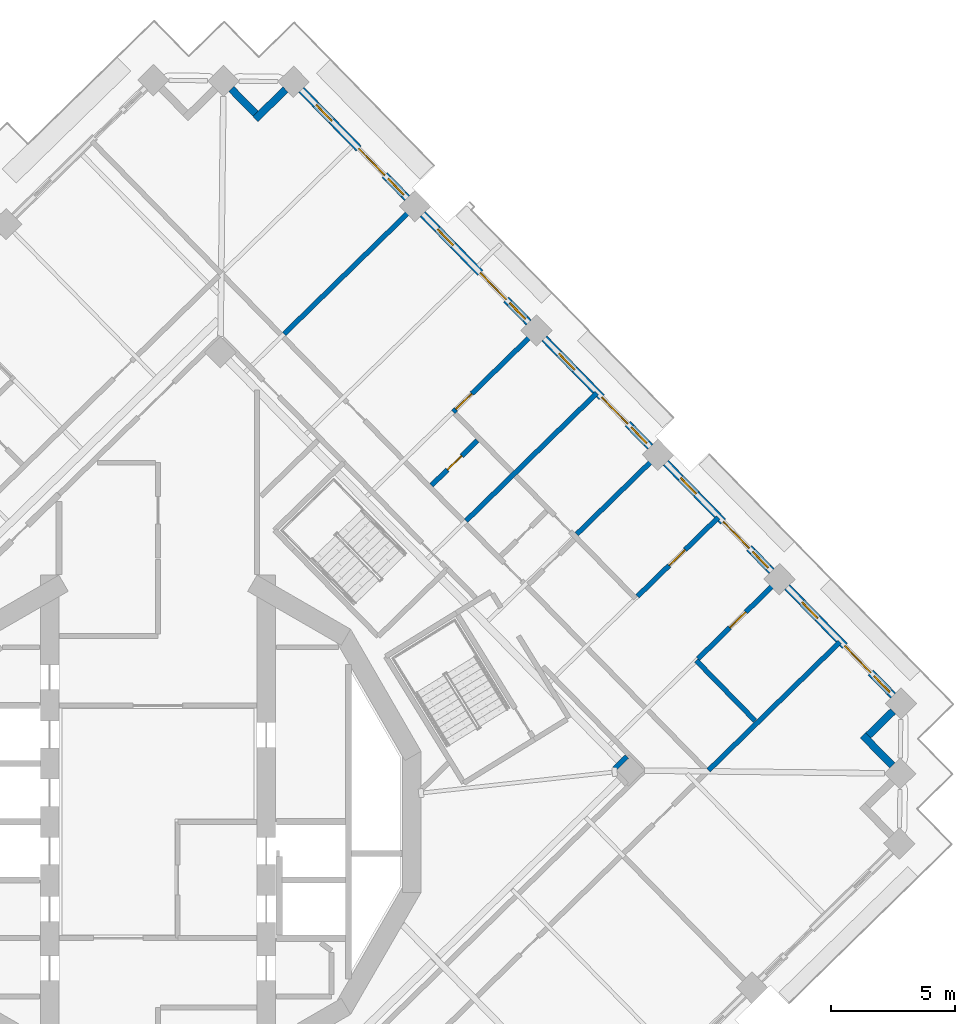
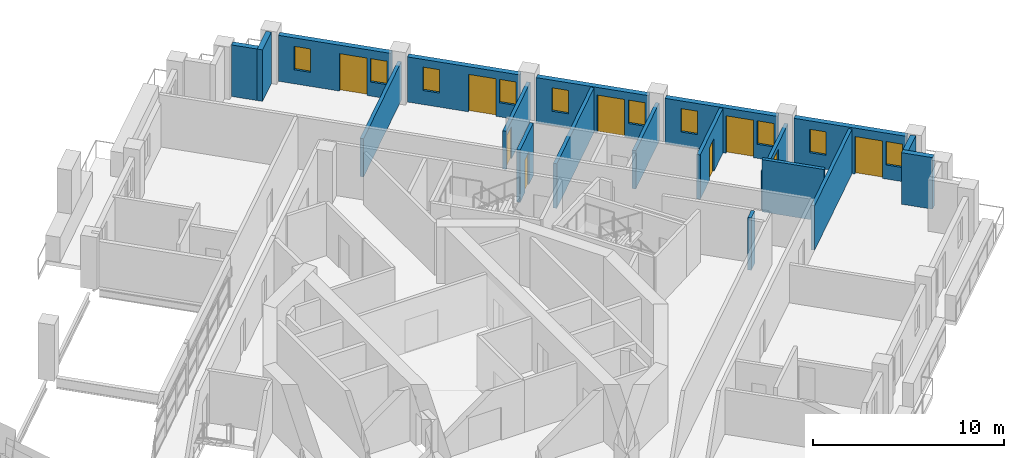
# One storey, part 13 of 21: 19 walls, 10 windows, 9 doors, 19 openings.
"""IFC4 building model written with IfcOpenShell, lengths in metres."""

from ifc_helpers import new_model, si_unit, direction, frame, frame_2d, origin, place, context, subcontext, project, spatial, rectangle, extrude, material, layer, layer_set, type_object, element, fill, save


model = new_model("IFC4")

# Units and contexts
model_context = context("Model", 3, precision=1e-05, world=origin(), true_north=direction((0.0, 1.0)))
body_context = subcontext(model_context, "Body", "Model", "MODEL_VIEW")
ifc_project = project(units=[si_unit("LENGTHUNIT", "METRE"), si_unit("AREAUNIT", "SQUARE_METRE"), si_unit("VOLUMEUNIT", "CUBIC_METRE"), si_unit("PLANEANGLEUNIT", "RADIAN"), si_unit("MASSUNIT", "GRAM", prefix="KILO")], contexts=[model_context])

# Site, building, storey
site_placement = place(None, origin())
site = spatial("IfcSite", under=ifc_project, at=site_placement, CompositionType="ELEMENT")
building_placement = place(site_placement, origin())
building = spatial("IfcBuilding", under=site, at=building_placement, Name="Cantera Rosa Tower", CompositionType="ELEMENT")
storey_placement = place(building_placement, frame((0.0, 0.0, 230.60009765625)))
storey = spatial("IfcBuildingStorey", under=building, at=storey_placement, Name="L50", CompositionType="ELEMENT", Elevation=230.60009765625)

# Walls
ifc_material_1 = material(Name="Hollow clay masonry with cantera stone cladding", Category="masonry")
ifc_layer_1 = layer(ifc_material_1, 0.300048828125)
ifc_layer_set_1 = layer_set([ifc_layer_1], Name="EW-LOGGIA 300")
wall_type_1 = type_object("IfcWallType", Name="EW-LOGGIA 300", PredefinedType="SOLIDWALL", material=ifc_layer_set_1)
wall_1_placement = place(storey_placement, frame((5.15283203125, 29.56982421875, 0.0), z_axis=(0.0, 0.0, 1.0), x_axis=(-0.715316077832, -0.69880105094, 0.0)))
element("IfcWall", 1, at=wall_1_placement, inside=storey, type_object=wall_type_1, Name="EN-L50-W05a", PredefinedType="SOLIDWALL", context=body_context, shape_type="SweptSolid", body=[
    extrude(rectangle(XDim=1.699951171875, YDim=0.300048828125, at=frame_2d((0.85009765625, 0.0))), origin(), (0.0, 0.0, 1.0), 3.2998046875),
])
wall_2_placement = place(storey_placement, frame((3.939208984375, 28.593994140625, 0.0), z_axis=(0.0, 0.0, 1.0), x_axis=(-0.698861982187, 0.715256548278, 0.0)))
element("IfcWall", 2, at=wall_2_placement, inside=storey, type_object=wall_type_1, Name="EN-L50-W05b", PredefinedType="SOLIDWALL", context=body_context, shape_type="SweptSolid", body=[
    extrude(rectangle(XDim=1.39990234375, YDim=0.300048828125, at=frame_2d((0.699951171875, 0.0))), origin(), (0.0, 0.0, 1.0), 3.2998046875),
])
wall_3_placement = place(storey_placement, frame((29.65625, 2.271484375, 0.0), z_axis=(0.0, 0.0, 1.0), x_axis=(-0.698872839675, 0.715245939495, 0.0)))
element("IfcWall", 3, at=wall_3_placement, inside=storey, type_object=wall_type_1, Name="EN-L50-W27a", PredefinedType="SOLIDWALL", context=body_context, shape_type="SweptSolid", body=[
    extrude(rectangle(XDim=1.699951171875, YDim=0.300048828125, at=frame_2d((0.85009765625, 0.0))), origin(), (0.0, 0.0, 1.0), 3.2998046875),
])
wall_4_placement = place(storey_placement, frame((28.680419921875, 3.48486328125, 0.0), z_axis=(0.0, 0.0, 1.0), x_axis=(0.71516937164, 0.698951192766, 0.0)))
element("IfcWall", 4, at=wall_4_placement, inside=storey, type_object=wall_type_1, Name="EN-L50-W27b", PredefinedType="SOLIDWALL", context=body_context, shape_type="SweptSolid", body=[
    extrude(rectangle(XDim=1.39990234375, YDim=0.300048828125, at=frame_2d((0.699951171875, 0.0))), origin(), (0.0, 0.0, 1.0), 3.2998046875),
])

# Wall, openings, windows, door
ifc_material_2 = material(Name="Hollow clay masonry with cantera stone cladding", Category="masonry")
ifc_layer_2 = layer(ifc_material_2, 0.300048828125)
ifc_layer_set_2 = layer_set([ifc_layer_2], Name="EW-LOGGIA 300 H2890")
wall_type_2 = type_object("IfcWallType", Name="EW-LOGGIA 300 H2890", PredefinedType="SOLIDWALL", material=ifc_layer_set_2)
wall_5_placement = place(storey_placement, frame((24.783203125, 10.120849609375, 0.0), z_axis=(0.0, 0.0, 1.0), x_axis=(-0.698800768177, 0.715316354067, 0.0)))
wall_5 = element("IfcWall", 5, at=wall_5_placement, inside=storey, type_object=wall_type_2, Name="EN-L50-W01", PredefinedType="SOLIDWALL", context=body_context, shape_type="SweptSolid", body=[
    extrude(rectangle(XDim=6.119873046875, YDim=0.300048828125, at=frame_2d((3.06005859375, 0.0))), origin(), (0.0, 0.0, 1.0), 2.889892578125),
])
opening_1_placement = place(wall_5_placement, frame((0.199951171875, 0.0, 0.89990234375)))
opening_1 = element("IfcOpeningElement", 6, at=opening_1_placement, cuts=wall_5, Name="Opening L50-W01", PredefinedType="OPENING", context=body_context, shape_type="SweptSolid", body=[
    extrude(rectangle(XDim=0.89990234375, YDim=1.5, at=frame_2d((0.449951171875, 0.75))), frame((0.0, 0.159912109375, 0.0), z_axis=(0.0, -1.0, 0.0), x_axis=(1.0, 0.0, 0.0)), (0.0, 0.0, 1.0), 0.320068359375),
])
opening_2_placement = place(wall_5_placement, frame((1.300048828125, 0.0, 0.0)))
opening_2 = element("IfcOpeningElement", 7, at=opening_2_placement, cuts=wall_5, Name="Opening L50-TD02", PredefinedType="OPENING", context=body_context, shape_type="SweptSolid", body=[
    extrude(rectangle(XDim=1.5, YDim=2.39990234375, at=frame_2d((0.75, 1.199951171875))), frame((0.0, 0.159912109375, 0.0), z_axis=(0.0, -1.0, 0.0), x_axis=(1.0, 0.0, 0.0)), (0.0, 0.0, 1.0), 0.320068359375),
])
opening_3_placement = place(wall_5_placement, frame((4.364990234375, 0.0, 0.89990234375)))
opening_3 = element("IfcOpeningElement", 8, at=opening_3_placement, cuts=wall_5, Name="Opening L50-W03", PredefinedType="OPENING", context=body_context, shape_type="SweptSolid", body=[
    extrude(rectangle(XDim=0.89990234375, YDim=1.5, at=frame_2d((0.449951171875, 0.75))), frame((0.0, 0.159912109375, 0.0), z_axis=(0.0, -1.0, 0.0), x_axis=(1.0, 0.0, 0.0)), (0.0, 0.0, 1.0), 0.320068359375),
])
ifc_material_3 = material(Name="Aluminium frame with clear glass", Category="aluminium")
window_type = type_object("IfcWindowType", Name="Residential window 900x1500", PartitioningType="SINGLE_PANEL", PredefinedType="WINDOW", material=ifc_material_3)
window_1_placement = place(opening_1_placement, origin())
window_1 = element("IfcWindow", 9, at=window_1_placement, inside=storey, type_object=window_type, Name="WINDOW L50-W01", OverallHeight=1.5, OverallWidth=0.89990234375, PartitioningType="SINGLE_PANEL", PredefinedType="WINDOW", context=body_context, shape_type="SweptSolid", body=[
    extrude(rectangle(XDim=0.89990234375, YDim=1.5, at=frame_2d((0.449951171875, 0.75))), frame((0.0, 0.030029296875, 0.0), z_axis=(0.0, -1.0, 0.0), x_axis=(1.0, 0.0, 0.0)), (0.0, 0.0, 1.0), 0.06005859375),
])
fill(opening_1, window_1)
window_2_placement = place(opening_3_placement, origin())
window_2 = element("IfcWindow", 10, at=window_2_placement, inside=storey, type_object=window_type, Name="WINDOW L50-W03", OverallHeight=1.5, OverallWidth=0.89990234375, PartitioningType="SINGLE_PANEL", PredefinedType="WINDOW", context=body_context, shape_type="SweptSolid", body=[
    extrude(rectangle(XDim=0.89990234375, YDim=1.5, at=frame_2d((0.449951171875, 0.75))), frame((0.0, 0.030029296875, 0.0), z_axis=(0.0, -1.0, 0.0), x_axis=(1.0, 0.0, 0.0)), (0.0, 0.0, 1.0), 0.06005859375),
])
fill(opening_3, window_2)
ifc_material_4 = material(Name="Aluminium frame with clear glass", Category="aluminium")
door_type_1 = type_object("IfcDoorType", Name="TD-R 1500x2400", OperationType="NOTDEFINED", PredefinedType="DOOR", material=ifc_material_4)
door_1_placement = place(opening_2_placement, origin())
door_1 = element("IfcDoor", 11, at=door_1_placement, inside=storey, type_object=door_type_1, Name="LOGGIA DOOR L50-TD02", OperationType="SLIDING_TO_LEFT", OverallHeight=2.39990234375, OverallWidth=1.5, PredefinedType="DOOR", context=body_context, shape_type="SweptSolid", body=[
    extrude(rectangle(XDim=1.5, YDim=2.39990234375, at=frame_2d((0.75, 1.199951171875))), frame((0.0, 0.02490234375, 0.0), z_axis=(0.0, -1.0, 0.0), x_axis=(1.0, 0.0, 0.0)), (0.0, 0.0, 1.0), 0.050048828125),
])
fill(opening_2, door_1)

wall_6_placement = place(storey_placement, frame((19.87744140625, 15.142333984375, 0.0), z_axis=(0.0, 0.0, 1.0), x_axis=(-0.698841120217, 0.71527693147, 0.0)))
wall_6 = element("IfcWall", 12, at=wall_6_placement, inside=storey, type_object=wall_type_2, Name="EN-L50-W02", PredefinedType="SOLIDWALL", context=body_context, shape_type="SweptSolid", body=[
    extrude(rectangle(XDim=6.119873046875, YDim=0.300048828125, at=frame_2d((3.06005859375, 0.0))), origin(), (0.0, 0.0, 1.0), 2.889892578125),
])
opening_4_placement = place(wall_6_placement, frame((0.199951171875, 0.0, 0.89990234375)))
opening_4 = element("IfcOpeningElement", 13, at=opening_4_placement, cuts=wall_6, Name="Opening L50-W04", PredefinedType="OPENING", context=body_context, shape_type="SweptSolid", body=[
    extrude(rectangle(XDim=0.89990234375, YDim=1.5, at=frame_2d((0.449951171875, 0.75))), frame((0.0, 0.159912109375, 0.0), z_axis=(0.0, -1.0, 0.0), x_axis=(1.0, 0.0, 0.0)), (0.0, 0.0, 1.0), 0.320068359375),
])
opening_5_placement = place(wall_6_placement, frame((1.300048828125, 0.0, 0.0)))
opening_5 = element("IfcOpeningElement", 14, at=opening_5_placement, cuts=wall_6, Name="Opening L50-TD05", PredefinedType="OPENING", context=body_context, shape_type="SweptSolid", body=[
    extrude(rectangle(XDim=1.5, YDim=2.39990234375, at=frame_2d((0.75, 1.199951171875))), frame((0.0, 0.159912109375, 0.0), z_axis=(0.0, -1.0, 0.0), x_axis=(1.0, 0.0, 0.0)), (0.0, 0.0, 1.0), 0.320068359375),
])
opening_6_placement = place(wall_6_placement, frame((4.364990234375, 0.0, 0.89990234375)))
opening_6 = element("IfcOpeningElement", 15, at=opening_6_placement, cuts=wall_6, Name="Opening L50-W06", PredefinedType="OPENING", context=body_context, shape_type="SweptSolid", body=[
    extrude(rectangle(XDim=0.89990234375, YDim=1.5, at=frame_2d((0.449951171875, 0.75))), frame((0.0, 0.159912109375, 0.0), z_axis=(0.0, -1.0, 0.0), x_axis=(1.0, 0.0, 0.0)), (0.0, 0.0, 1.0), 0.320068359375),
])
window_3_placement = place(opening_4_placement, origin())
window_3 = element("IfcWindow", 16, at=window_3_placement, inside=storey, type_object=window_type, Name="WINDOW L50-W04", OverallHeight=1.5, OverallWidth=0.89990234375, PartitioningType="SINGLE_PANEL", PredefinedType="WINDOW", context=body_context, shape_type="SweptSolid", body=[
    extrude(rectangle(XDim=0.89990234375, YDim=1.5, at=frame_2d((0.449951171875, 0.75))), frame((0.0, 0.030029296875, 0.0), z_axis=(0.0, -1.0, 0.0), x_axis=(1.0, 0.0, 0.0)), (0.0, 0.0, 1.0), 0.06005859375),
])
fill(opening_4, window_3)
window_4_placement = place(opening_6_placement, origin())
window_4 = element("IfcWindow", 17, at=window_4_placement, inside=storey, type_object=window_type, Name="WINDOW L50-W06", OverallHeight=1.5, OverallWidth=0.89990234375, PartitioningType="SINGLE_PANEL", PredefinedType="WINDOW", context=body_context, shape_type="SweptSolid", body=[
    extrude(rectangle(XDim=0.89990234375, YDim=1.5, at=frame_2d((0.449951171875, 0.75))), frame((0.0, 0.030029296875, 0.0), z_axis=(0.0, -1.0, 0.0), x_axis=(1.0, 0.0, 0.0)), (0.0, 0.0, 1.0), 0.06005859375),
])
fill(opening_6, window_4)
door_2_placement = place(opening_5_placement, origin())
door_2 = element("IfcDoor", 18, at=door_2_placement, inside=storey, type_object=door_type_1, Name="LOGGIA DOOR L50-TD05", OperationType="SLIDING_TO_LEFT", OverallHeight=2.39990234375, OverallWidth=1.5, PredefinedType="DOOR", context=body_context, shape_type="SweptSolid", body=[
    extrude(rectangle(XDim=1.5, YDim=2.39990234375, at=frame_2d((0.75, 1.199951171875))), frame((0.0, 0.02490234375, 0.0), z_axis=(0.0, -1.0, 0.0), x_axis=(1.0, 0.0, 0.0)), (0.0, 0.0, 1.0), 0.050048828125),
])
fill(opening_5, door_2)

wall_7_placement = place(storey_placement, frame((14.9716796875, 20.16357421875, 0.0), z_axis=(0.0, 0.0, 1.0), x_axis=(-0.698841120217, 0.71527693147, 0.0)))
wall_7 = element("IfcWall", 19, at=wall_7_placement, inside=storey, type_object=wall_type_2, Name="EN-L50-W03", PredefinedType="SOLIDWALL", context=body_context, shape_type="SweptSolid", body=[
    extrude(rectangle(XDim=6.119873046875, YDim=0.300048828125, at=frame_2d((3.06005859375, 0.0))), origin(), (0.0, 0.0, 1.0), 2.889892578125),
])
opening_7_placement = place(wall_7_placement, frame((0.199951171875, 0.0, 0.89990234375)))
opening_7 = element("IfcOpeningElement", 20, at=opening_7_placement, cuts=wall_7, Name="Opening L50-W07", PredefinedType="OPENING", context=body_context, shape_type="SweptSolid", body=[
    extrude(rectangle(XDim=0.89990234375, YDim=1.5, at=frame_2d((0.449951171875, 0.75))), frame((0.0, 0.159912109375, 0.0), z_axis=(0.0, -1.0, 0.0), x_axis=(1.0, 0.0, 0.0)), (0.0, 0.0, 1.0), 0.320068359375),
])
opening_8_placement = place(wall_7_placement, frame((1.300048828125, 0.0, 0.0)))
opening_8 = element("IfcOpeningElement", 21, at=opening_8_placement, cuts=wall_7, Name="Opening L50-TD08", PredefinedType="OPENING", context=body_context, shape_type="SweptSolid", body=[
    extrude(rectangle(XDim=1.5, YDim=2.39990234375, at=frame_2d((0.75, 1.199951171875))), frame((0.0, 0.159912109375, 0.0), z_axis=(0.0, -1.0, 0.0), x_axis=(1.0, 0.0, 0.0)), (0.0, 0.0, 1.0), 0.320068359375),
])
opening_9_placement = place(wall_7_placement, frame((4.364990234375, 0.0, 0.89990234375)))
opening_9 = element("IfcOpeningElement", 22, at=opening_9_placement, cuts=wall_7, Name="Opening L50-W09", PredefinedType="OPENING", context=body_context, shape_type="SweptSolid", body=[
    extrude(rectangle(XDim=0.89990234375, YDim=1.5, at=frame_2d((0.449951171875, 0.75))), frame((0.0, 0.159912109375, 0.0), z_axis=(0.0, -1.0, 0.0), x_axis=(1.0, 0.0, 0.0)), (0.0, 0.0, 1.0), 0.320068359375),
])
window_5_placement = place(opening_7_placement, origin())
window_5 = element("IfcWindow", 23, at=window_5_placement, inside=storey, type_object=window_type, Name="WINDOW L50-W07", OverallHeight=1.5, OverallWidth=0.89990234375, PartitioningType="SINGLE_PANEL", PredefinedType="WINDOW", context=body_context, shape_type="SweptSolid", body=[
    extrude(rectangle(XDim=0.89990234375, YDim=1.5, at=frame_2d((0.449951171875, 0.75))), frame((0.0, 0.030029296875, 0.0), z_axis=(0.0, -1.0, 0.0), x_axis=(1.0, 0.0, 0.0)), (0.0, 0.0, 1.0), 0.06005859375),
])
fill(opening_7, window_5)
window_6_placement = place(opening_9_placement, origin())
window_6 = element("IfcWindow", 24, at=window_6_placement, inside=storey, type_object=window_type, Name="WINDOW L50-W09", OverallHeight=1.5, OverallWidth=0.89990234375, PartitioningType="SINGLE_PANEL", PredefinedType="WINDOW", context=body_context, shape_type="SweptSolid", body=[
    extrude(rectangle(XDim=0.89990234375, YDim=1.5, at=frame_2d((0.449951171875, 0.75))), frame((0.0, 0.030029296875, 0.0), z_axis=(0.0, -1.0, 0.0), x_axis=(1.0, 0.0, 0.0)), (0.0, 0.0, 1.0), 0.06005859375),
])
fill(opening_9, window_6)
door_3_placement = place(opening_8_placement, origin())
door_3 = element("IfcDoor", 25, at=door_3_placement, inside=storey, type_object=door_type_1, Name="LOGGIA DOOR L50-TD08", OperationType="SLIDING_TO_LEFT", OverallHeight=2.39990234375, OverallWidth=1.5, PredefinedType="DOOR", context=body_context, shape_type="SweptSolid", body=[
    extrude(rectangle(XDim=1.5, YDim=2.39990234375, at=frame_2d((0.75, 1.199951171875))), frame((0.0, 0.02490234375, 0.0), z_axis=(0.0, -1.0, 0.0), x_axis=(1.0, 0.0, 0.0)), (0.0, 0.0, 1.0), 0.050048828125),
])
fill(opening_8, door_3)

ifc_material_5 = material(Name="Hollow clay masonry with cantera stone cladding", Category="masonry")
ifc_layer_3 = layer(ifc_material_5, 0.300048828125)
ifc_layer_set_3 = layer_set([ifc_layer_3], Name="EW-LOGGIA 300 H2940")
wall_type_3 = type_object("IfcWallType", Name="EW-LOGGIA 300 H2940", PredefinedType="SOLIDWALL", material=ifc_layer_set_3)
wall_8_placement = place(storey_placement, frame((10.06591796875, 25.184814453125, 0.0), z_axis=(0.0, 0.0, 1.0), x_axis=(-0.69882117953, 0.715296413412, 0.0)))
wall_8 = element("IfcWall", 26, at=wall_8_placement, inside=storey, type_object=wall_type_3, Name="EN-L50-W04", PredefinedType="SOLIDWALL", context=body_context, shape_type="SweptSolid", body=[
    extrude(rectangle(XDim=6.1201171875, YDim=0.300048828125, at=frame_2d((3.06005859375, 0.0))), origin(), (0.0, 0.0, 1.0), 2.93994140625),
])
opening_10_placement = place(wall_8_placement, frame((0.199951171875, 0.0, 0.89990234375)))
opening_10 = element("IfcOpeningElement", 27, at=opening_10_placement, cuts=wall_8, Name="Opening L50-W10", PredefinedType="OPENING", context=body_context, shape_type="SweptSolid", body=[
    extrude(rectangle(XDim=0.89990234375, YDim=1.5, at=frame_2d((0.449951171875, 0.75))), frame((0.0, 0.159912109375, 0.0), z_axis=(0.0, -1.0, 0.0), x_axis=(1.0, 0.0, 0.0)), (0.0, 0.0, 1.0), 0.320068359375),
])
opening_11_placement = place(wall_8_placement, frame((1.300048828125, 0.0, 0.0)))
opening_11 = element("IfcOpeningElement", 28, at=opening_11_placement, cuts=wall_8, Name="Opening L50-TD11", PredefinedType="OPENING", context=body_context, shape_type="SweptSolid", body=[
    extrude(rectangle(XDim=1.5, YDim=2.39990234375, at=frame_2d((0.75, 1.199951171875))), frame((0.0, 0.159912109375, 0.0), z_axis=(0.0, -1.0, 0.0), x_axis=(1.0, 0.0, 0.0)), (0.0, 0.0, 1.0), 0.320068359375),
])
opening_12_placement = place(wall_8_placement, frame((4.364990234375, 0.0, 0.89990234375)))
opening_12 = element("IfcOpeningElement", 29, at=opening_12_placement, cuts=wall_8, Name="Opening L50-W12", PredefinedType="OPENING", context=body_context, shape_type="SweptSolid", body=[
    extrude(rectangle(XDim=0.89990234375, YDim=1.5, at=frame_2d((0.449951171875, 0.75))), frame((0.0, 0.159912109375, 0.0), z_axis=(0.0, -1.0, 0.0), x_axis=(1.0, 0.0, 0.0)), (0.0, 0.0, 1.0), 0.320068359375),
])
window_7_placement = place(opening_10_placement, origin())
window_7 = element("IfcWindow", 30, at=window_7_placement, inside=storey, type_object=window_type, Name="WINDOW L50-W10", OverallHeight=1.5, OverallWidth=0.89990234375, PartitioningType="SINGLE_PANEL", PredefinedType="WINDOW", context=body_context, shape_type="SweptSolid", body=[
    extrude(rectangle(XDim=0.89990234375, YDim=1.5, at=frame_2d((0.449951171875, 0.75))), frame((0.0, 0.030029296875, 0.0), z_axis=(0.0, -1.0, 0.0), x_axis=(1.0, 0.0, 0.0)), (0.0, 0.0, 1.0), 0.06005859375),
])
fill(opening_10, window_7)
window_8_placement = place(opening_12_placement, origin())
window_8 = element("IfcWindow", 31, at=window_8_placement, inside=storey, type_object=window_type, Name="WINDOW L50-W12", OverallHeight=1.5, OverallWidth=0.89990234375, PartitioningType="SINGLE_PANEL", PredefinedType="WINDOW", context=body_context, shape_type="SweptSolid", body=[
    extrude(rectangle(XDim=0.89990234375, YDim=1.5, at=frame_2d((0.449951171875, 0.75))), frame((0.0, 0.030029296875, 0.0), z_axis=(0.0, -1.0, 0.0), x_axis=(1.0, 0.0, 0.0)), (0.0, 0.0, 1.0), 0.06005859375),
])
fill(opening_12, window_8)
door_4_placement = place(opening_11_placement, origin())
door_4 = element("IfcDoor", 32, at=door_4_placement, inside=storey, type_object=door_type_1, Name="LOGGIA DOOR L50-TD11", OperationType="SLIDING_TO_LEFT", OverallHeight=2.39990234375, OverallWidth=1.5, PredefinedType="DOOR", context=body_context, shape_type="SweptSolid", body=[
    extrude(rectangle(XDim=1.5, YDim=2.39990234375, at=frame_2d((0.75, 1.199951171875))), frame((0.0, 0.02490234375, 0.0), z_axis=(0.0, -1.0, 0.0), x_axis=(1.0, 0.0, 0.0)), (0.0, 0.0, 1.0), 0.050048828125),
])
fill(opening_11, door_4)

wall_9_placement = place(storey_placement, frame((29.689208984375, 5.099609375, 0.0), z_axis=(0.0, 0.0, 1.0), x_axis=(-0.69882117953, 0.715296413412, 0.0)))
wall_9 = element("IfcWall", 33, at=wall_9_placement, inside=storey, type_object=wall_type_3, Name="EN-L50-W28", PredefinedType="SOLIDWALL", context=body_context, shape_type="SweptSolid", body=[
    extrude(rectangle(XDim=6.1201171875, YDim=0.300048828125, at=frame_2d((3.06005859375, 0.0))), origin(), (0.0, 0.0, 1.0), 2.93994140625),
])
opening_13_placement = place(wall_9_placement, frame((0.199951171875, 0.0, 0.89990234375)))
opening_13 = element("IfcOpeningElement", 34, at=opening_13_placement, cuts=wall_9, Name="Opening L50-W52", PredefinedType="OPENING", context=body_context, shape_type="SweptSolid", body=[
    extrude(rectangle(XDim=0.89990234375, YDim=1.5, at=frame_2d((0.449951171875, 0.75))), frame((0.0, 0.159912109375, 0.0), z_axis=(0.0, -1.0, 0.0), x_axis=(1.0, 0.0, 0.0)), (0.0, 0.0, 1.0), 0.320068359375),
])
opening_14_placement = place(wall_9_placement, frame((1.300048828125, 0.0, 0.0)))
opening_14 = element("IfcOpeningElement", 35, at=opening_14_placement, cuts=wall_9, Name="Opening L50-TD53", PredefinedType="OPENING", context=body_context, shape_type="SweptSolid", body=[
    extrude(rectangle(XDim=1.5, YDim=2.39990234375, at=frame_2d((0.75, 1.199951171875))), frame((0.0, 0.159912109375, 0.0), z_axis=(0.0, -1.0, 0.0), x_axis=(1.0, 0.0, 0.0)), (0.0, 0.0, 1.0), 0.320068359375),
])
opening_15_placement = place(wall_9_placement, frame((4.364990234375, 0.0, 0.89990234375)))
opening_15 = element("IfcOpeningElement", 36, at=opening_15_placement, cuts=wall_9, Name="Opening L50-W54", PredefinedType="OPENING", context=body_context, shape_type="SweptSolid", body=[
    extrude(rectangle(XDim=0.89990234375, YDim=1.5, at=frame_2d((0.449951171875, 0.75))), frame((0.0, 0.159912109375, 0.0), z_axis=(0.0, -1.0, 0.0), x_axis=(1.0, 0.0, 0.0)), (0.0, 0.0, 1.0), 0.320068359375),
])
window_9_placement = place(opening_13_placement, origin())
window_9 = element("IfcWindow", 37, at=window_9_placement, inside=storey, type_object=window_type, Name="WINDOW L50-W52", OverallHeight=1.5, OverallWidth=0.89990234375, PartitioningType="SINGLE_PANEL", PredefinedType="WINDOW", context=body_context, shape_type="SweptSolid", body=[
    extrude(rectangle(XDim=0.89990234375, YDim=1.5, at=frame_2d((0.449951171875, 0.75))), frame((0.0, 0.030029296875, 0.0), z_axis=(0.0, -1.0, 0.0), x_axis=(1.0, 0.0, 0.0)), (0.0, 0.0, 1.0), 0.06005859375),
])
fill(opening_13, window_9)
window_10_placement = place(opening_15_placement, origin())
window_10 = element("IfcWindow", 38, at=window_10_placement, inside=storey, type_object=window_type, Name="WINDOW L50-W54", OverallHeight=1.5, OverallWidth=0.89990234375, PartitioningType="SINGLE_PANEL", PredefinedType="WINDOW", context=body_context, shape_type="SweptSolid", body=[
    extrude(rectangle(XDim=0.89990234375, YDim=1.5, at=frame_2d((0.449951171875, 0.75))), frame((0.0, 0.030029296875, 0.0), z_axis=(0.0, -1.0, 0.0), x_axis=(1.0, 0.0, 0.0)), (0.0, 0.0, 1.0), 0.06005859375),
])
fill(opening_15, window_10)
door_5_placement = place(opening_14_placement, origin())
door_5 = element("IfcDoor", 39, at=door_5_placement, inside=storey, type_object=door_type_1, Name="LOGGIA DOOR L50-TD53", OperationType="SLIDING_TO_LEFT", OverallHeight=2.39990234375, OverallWidth=1.5, PredefinedType="DOOR", context=body_context, shape_type="SweptSolid", body=[
    extrude(rectangle(XDim=1.5, YDim=2.39990234375, at=frame_2d((0.75, 1.199951171875))), frame((0.0, 0.02490234375, 0.0), z_axis=(0.0, -1.0, 0.0), x_axis=(1.0, 0.0, 0.0)), (0.0, 0.0, 1.0), 0.050048828125),
])
fill(opening_14, door_5)

# Wall
ifc_material_6 = material(Name="Gypsum board partition")
ifc_layer_4 = layer(ifc_material_6, 0.199951171875)
ifc_layer_set_4 = layer_set([ifc_layer_4], Name="PARTITION 200 H2450")
wall_type_4 = type_object("IfcWallType", Name="PARTITION 200 H2450", PredefinedType="PARTITIONING", material=ifc_layer_set_4)
wall_10_placement = place(storey_placement, frame((5.1015625, 19.70556640625, 0.0), z_axis=(0.0, 0.0, 1.0), x_axis=(0.715280026246, 0.698837952642, 0.0)))
element("IfcWall", 40, at=wall_10_placement, inside=storey, type_object=wall_type_4, Name="PARTITION L50-080", PredefinedType="PARTITIONING", context=body_context, shape_type="SweptSolid", body=[
    extrude(rectangle(XDim=7.35009765625, YDim=0.199951171875, at=frame_2d((3.675048828125, 0.0))), origin(), (0.0, 0.0, 1.0), 2.449951171875),
])

# Wall, opening, door
wall_11_placement = place(storey_placement, frame((11.92431640625, 16.55712890625, 0.0), z_axis=(0.0, 0.0, 1.0), x_axis=(0.715266781779, 0.698851508465, 0.0)))
wall_11 = element("IfcWall", 41, at=wall_11_placement, inside=storey, type_object=wall_type_4, Name="PARTITION L50-101", PredefinedType="PARTITIONING", context=body_context, shape_type="SweptSolid", body=[
    extrude(rectangle(XDim=4.670166015625, YDim=0.199951171875, at=frame_2d((2.3349609375, 0.0))), origin(), (0.0, 0.0, 1.0), 2.449951171875),
])
opening_16_placement = place(wall_11_placement, frame((0.14990234375, 0.0, 0.0)))
opening_16 = element("IfcOpeningElement", 42, at=opening_16_placement, cuts=wall_11, Name="Opening L50-033", PredefinedType="OPENING", context=body_context, shape_type="SweptSolid", body=[
    extrude(rectangle(XDim=0.89990234375, YDim=2.10009765625, at=frame_2d((0.449951171875, 1.050048828125))), frame((0.0, 0.10986328125, 0.0), z_axis=(0.0, -1.0, 0.0), x_axis=(1.0, 0.0, 0.0)), (0.0, 0.0, 1.0), 0.219970703125),
])
ifc_material_7 = material(Name="Timber door leaf", Category="wood")
door_type_2 = type_object("IfcDoorType", Name="ROOM DOOR 900x2100", OperationType="NOTDEFINED", PredefinedType="DOOR", material=ifc_material_7)
door_6_placement = place(opening_16_placement, origin())
door_6 = element("IfcDoor", 43, at=door_6_placement, inside=storey, type_object=door_type_2, Name="DOOR L50-033", OperationType="NOTDEFINED", OverallHeight=2.10009765625, OverallWidth=0.89990234375, PredefinedType="DOOR", context=body_context, shape_type="SweptSolid", body=[
    extrude(rectangle(XDim=0.89990234375, YDim=2.10009765625, at=frame_2d((0.449951171875, 1.050048828125))), frame((0.0, 0.02490234375, 0.0), z_axis=(0.0, -1.0, 0.0), x_axis=(1.0, 0.0, 0.0)), (0.0, 0.0, 1.0), 0.050048828125),
])
fill(opening_16, door_6)

# Wall
wall_12_placement = place(storey_placement, frame((20.17041015625, 14.79931640625, 0.0), z_axis=(0.0, 0.0, 1.0), x_axis=(-0.715268883314, -0.698849357561, 0.0)))
element("IfcWall", 44, at=wall_12_placement, inside=storey, type_object=wall_type_4, Name="PARTITION L50-119", PredefinedType="PARTITIONING", context=body_context, shape_type="SweptSolid", body=[
    extrude(rectangle(XDim=4.5498046875, YDim=0.199951171875, at=frame_2d((2.27490234375, 0.0))), origin(), (0.0, 0.0, 1.0), 2.449951171875),
])

# Wall, opening, door
wall_13_placement = place(storey_placement, frame((25.076416015625, 9.778076171875, 0.0), z_axis=(0.0, 0.0, 1.0), x_axis=(-0.71528612383, -0.698831711541, 0.0)))
wall_13 = element("IfcWall", 45, at=wall_13_placement, inside=storey, type_object=wall_type_4, Name="PARTITION L50-122", PredefinedType="PARTITIONING", context=body_context, shape_type="SweptSolid", body=[
    extrude(rectangle(XDim=4.56982421875, YDim=0.199951171875, at=frame_2d((2.284912109375, 0.0))), origin(), (0.0, 0.0, 1.0), 2.449951171875),
])
opening_17_placement = place(wall_13_placement, frame((1.8701171875, 0.0, 0.0)))
opening_17 = element("IfcOpeningElement", 46, at=opening_17_placement, cuts=wall_13, Name="Opening L50-030", PredefinedType="OPENING", context=body_context, shape_type="SweptSolid", body=[
    extrude(rectangle(XDim=0.89990234375, YDim=2.10009765625, at=frame_2d((0.449951171875, 1.050048828125))), frame((0.0, 0.10986328125, 0.0), z_axis=(0.0, -1.0, 0.0), x_axis=(1.0, 0.0, 0.0)), (0.0, 0.0, 1.0), 0.219970703125),
])
door_7_placement = place(opening_17_placement, origin())
door_7 = element("IfcDoor", 47, at=door_7_placement, inside=storey, type_object=door_type_2, Name="DOOR L50-030", OperationType="NOTDEFINED", OverallHeight=2.10009765625, OverallWidth=0.89990234375, PredefinedType="DOOR", context=body_context, shape_type="SweptSolid", body=[
    extrude(rectangle(XDim=0.89990234375, YDim=2.10009765625, at=frame_2d((0.449951171875, 1.050048828125))), frame((0.0, 0.02490234375, 0.0), z_axis=(0.0, -1.0, 0.0), x_axis=(1.0, 0.0, 0.0)), (0.0, 0.0, 1.0), 0.050048828125),
])
fill(opening_17, door_7)

ifc_material_8 = material(Name="Gypsum board partition")
ifc_layer_5 = layer(ifc_material_8, 0.199951171875)
ifc_layer_set_5 = layer_set([ifc_layer_5], Name="PARTITION 200 H2850")
wall_type_5 = type_object("IfcWallType", Name="PARTITION 200 H2850", PredefinedType="PARTITIONING", material=ifc_layer_set_5)
wall_14_placement = place(storey_placement, frame((22.623291015625, 12.288818359375, 0.0), z_axis=(0.0, 0.0, 1.0), x_axis=(-0.715268883314, -0.698849357561, 0.0)))
wall_14 = element("IfcWall", 48, at=wall_14_placement, inside=storey, type_object=wall_type_5, Name="PARTITION L50-121", PredefinedType="PARTITIONING", context=body_context, shape_type="SweptSolid", body=[
    extrude(rectangle(XDim=4.5498046875, YDim=0.199951171875, at=frame_2d((2.27490234375, 0.0))), origin(), (0.0, 0.0, 1.0), 2.849853515625),
])
opening_18_placement = place(wall_14_placement, frame((1.8701171875, 0.0, 0.0)))
opening_18 = element("IfcOpeningElement", 49, at=opening_18_placement, cuts=wall_14, Name="Opening L50-029", PredefinedType="OPENING", context=body_context, shape_type="SweptSolid", body=[
    extrude(rectangle(XDim=0.89990234375, YDim=2.10009765625, at=frame_2d((0.449951171875, 1.050048828125))), frame((0.0, 0.10986328125, 0.0), z_axis=(0.0, -1.0, 0.0), x_axis=(1.0, 0.0, 0.0)), (0.0, 0.0, 1.0), 0.219970703125),
])
door_8_placement = place(opening_18_placement, origin())
door_8 = element("IfcDoor", 50, at=door_8_placement, inside=storey, type_object=door_type_2, Name="DOOR L50-029", OperationType="NOTDEFINED", OverallHeight=2.10009765625, OverallWidth=0.89990234375, PredefinedType="DOOR", context=body_context, shape_type="SweptSolid", body=[
    extrude(rectangle(XDim=0.89990234375, YDim=2.10009765625, at=frame_2d((0.449951171875, 1.050048828125))), frame((0.0, 0.02490234375, 0.0), z_axis=(0.0, -1.0, 0.0), x_axis=(1.0, 0.0, 0.0)), (0.0, 0.0, 1.0), 0.050048828125),
])
fill(opening_18, door_8)

ifc_material_9 = material(Name="Gypsum board partition")
ifc_layer_6 = layer(ifc_material_9, 0.199951171875)
ifc_layer_set_6 = layer_set([ifc_layer_6], Name="PARTITION 200 H3350")
wall_type_6 = type_object("IfcWallType", Name="PARTITION 200 H3350", PredefinedType="PARTITIONING", material=ifc_layer_set_6)
wall_15_placement = place(storey_placement, frame((11.04833984375, 13.590087890625, 0.0), z_axis=(0.0, 0.0, 1.0), x_axis=(0.715244172938, 0.698874647615, 0.0)))
wall_15 = element("IfcWall", 51, at=wall_15_placement, inside=storey, type_object=wall_type_6, Name="PARTITION L50-097", PredefinedType="PARTITIONING", context=body_context, shape_type="SweptSolid", body=[
    extrude(rectangle(XDim=2.580078125, YDim=0.199951171875, at=frame_2d((1.2900390625, 0.0))), origin(), (0.0, 0.0, 1.0), 3.349853515625),
])
opening_19_placement = place(wall_15_placement, frame((0.89990234375, 0.0, 0.0)))
opening_19 = element("IfcOpeningElement", 52, at=opening_19_placement, cuts=wall_15, Name="Opening L50-032", PredefinedType="OPENING", context=body_context, shape_type="SweptSolid", body=[
    extrude(rectangle(XDim=0.800048828125, YDim=2.10009765625, at=frame_2d((0.39990234375, 1.050048828125))), frame((0.0, 0.10986328125, 0.0), z_axis=(0.0, -1.0, 0.0), x_axis=(1.0, 0.0, 0.0)), (0.0, 0.0, 1.0), 0.219970703125),
])
ifc_material_10 = material(Name="Timber door leaf", Category="wood")
door_type_3 = type_object("IfcDoorType", Name="BATHROOM DOOR 800x2100", OperationType="NOTDEFINED", PredefinedType="DOOR", material=ifc_material_10)
door_9_placement = place(opening_19_placement, origin())
door_9 = element("IfcDoor", 53, at=door_9_placement, inside=storey, type_object=door_type_3, Name="DOOR L50-032", OperationType="NOTDEFINED", OverallHeight=2.10009765625, OverallWidth=0.800048828125, PredefinedType="DOOR", context=body_context, shape_type="SweptSolid", body=[
    extrude(rectangle(XDim=0.800048828125, YDim=2.10009765625, at=frame_2d((0.39990234375, 1.050048828125))), frame((0.0, 0.02490234375, 0.0), z_axis=(0.0, -1.0, 0.0), x_axis=(1.0, 0.0, 0.0)), (0.0, 0.0, 1.0), 0.050048828125),
])
fill(opening_19, door_9)

# Walls
wall_16_placement = place(storey_placement, frame((18.932861328125, 2.62939453125, 0.0), z_axis=(0.0, 0.0, 1.0), x_axis=(-0.715493021556, -0.698619879552, 0.0)))
element("IfcWall", 54, at=wall_16_placement, inside=storey, type_object=wall_type_6, Name="PARTITION L50-117", PredefinedType="PARTITIONING", context=body_context, shape_type="SweptSolid", body=[
    extrude(rectangle(XDim=0.679931640625, YDim=0.199951171875, at=frame_2d((0.33984375, 0.0))), origin(), (0.0, 0.0, 1.0), 3.349853515625),
])
wall_17_placement = place(storey_placement, frame((21.736083984375, 6.514404296875, 0.0), z_axis=(0.0, 0.0, 1.0), x_axis=(0.698836944344, -0.715281011366, 0.0)))
element("IfcWall", 55, at=wall_17_placement, inside=storey, type_object=wall_type_6, Name="PARTITION L50-120", PredefinedType="PARTITIONING", context=body_context, shape_type="SweptSolid", body=[
    extrude(rectangle(XDim=3.39990234375, YDim=0.199951171875, at=frame_2d((1.699951171875, 0.0))), origin(), (0.0, 0.0, 1.0), 3.349853515625),
])
ifc_material_11 = material(Name="Gypsum board partition")
ifc_layer_7 = layer(ifc_material_11, 0.199951171875)
ifc_layer_set_7 = layer_set([ifc_layer_7], Name="PARTY WALL 200 H2850")
wall_type_7 = type_object("IfcWallType", Name="PARTY WALL 200 H2850", PredefinedType="PARTITIONING", material=ifc_layer_set_7)
wall_18_placement = place(storey_placement, frame((12.446044921875, 12.15966796875, 0.0), z_axis=(0.0, 0.0, 1.0), x_axis=(0.715274508116, 0.698843600557, 0.0)))
element("IfcWall", 56, at=wall_18_placement, inside=storey, type_object=wall_type_7, Name="PARTY WALL L50-106", PredefinedType="PARTITIONING", context=body_context, shape_type="SweptSolid", body=[
    extrude(rectangle(XDim=7.369873046875, YDim=0.199951171875, at=frame_2d((3.68505859375, 0.0))), origin(), (0.0, 0.0, 1.0), 2.849853515625),
])
wall_19_placement = place(storey_placement, frame((27.5361328125, 7.26025390625, 0.0), z_axis=(0.0, 0.0, 1.0), x_axis=(-0.715263182614, -0.698855192152, 0.0)))
element("IfcWall", 57, at=wall_19_placement, inside=storey, type_object=wall_type_7, Name="PARTY WALL L50-123", PredefinedType="PARTITIONING", context=body_context, shape_type="SweptSolid", body=[
    extrude(rectangle(XDim=7.409912109375, YDim=0.199951171875, at=frame_2d((3.705078125, 0.0))), origin(), (0.0, 0.0, 1.0), 2.849853515625),
])

save(model, "model.ifc")
